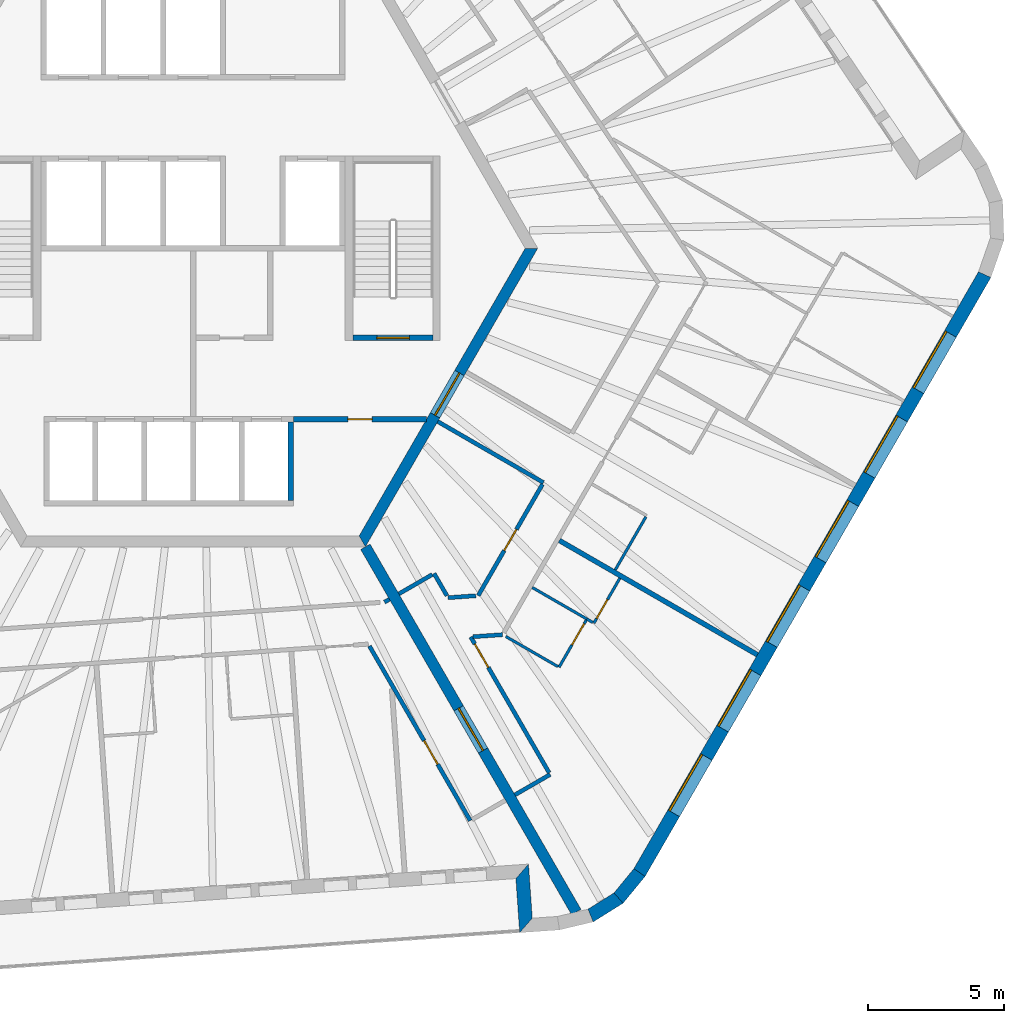
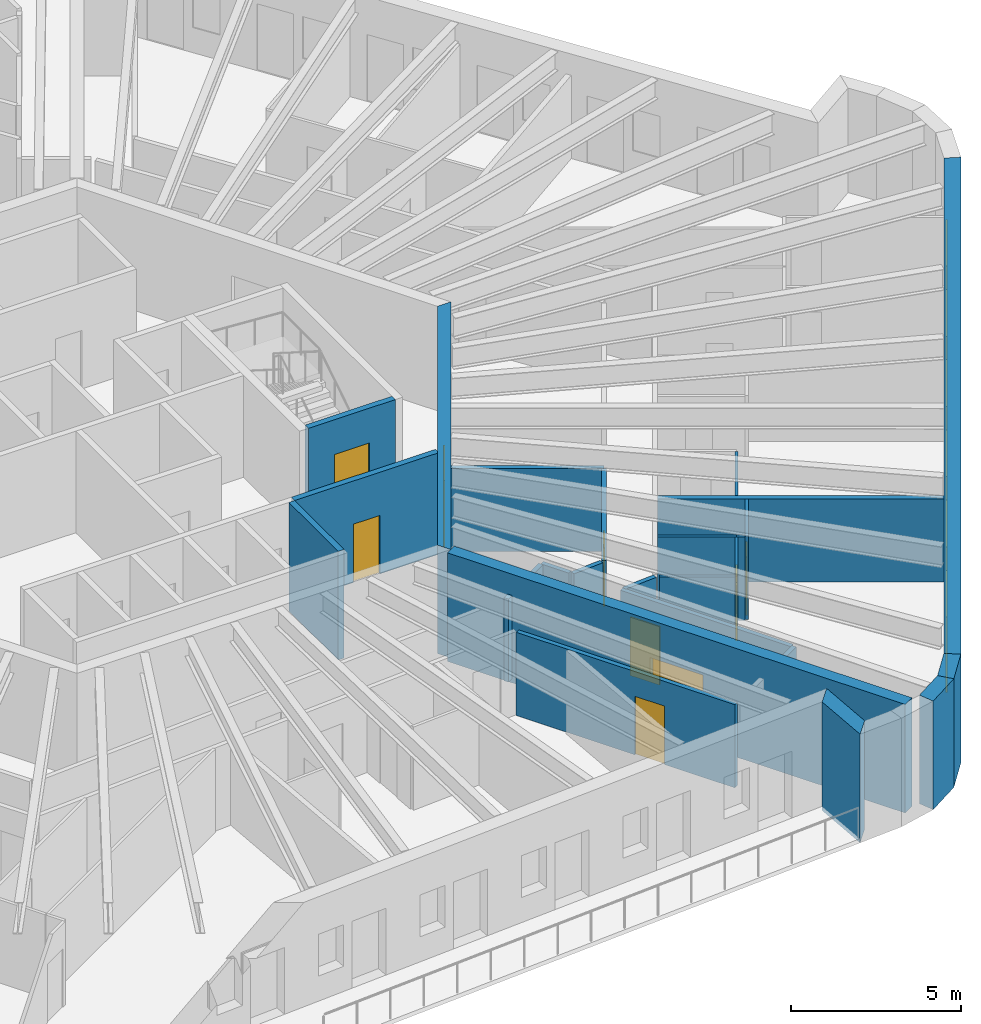
# One storey, part 6 of 12: 26 walls, 9 doors, 6 windows, 15 openings.
"""IFC4 building model written with IfcOpenShell, lengths in metres."""

from ifc_helpers import new_model, si_unit, direction, frame, frame_2d, origin, place, context, subcontext, project, spatial, polyline, rectangle, outline, extrude, material, layer, layer_set, type_object, element, fill, save


model = new_model("IFC4")

# Units and contexts
model_context = context("Model", 3, precision=1e-05, world=origin(), true_north=direction((0.0, 1.0)))
body_context = subcontext(model_context, "Body", "Model", "MODEL_VIEW")
ifc_project = project(units=[si_unit("LENGTHUNIT", "METRE"), si_unit("AREAUNIT", "SQUARE_METRE"), si_unit("VOLUMEUNIT", "CUBIC_METRE"), si_unit("PLANEANGLEUNIT", "RADIAN"), si_unit("MASSUNIT", "GRAM", prefix="KILO")], contexts=[model_context])

# Site, building, storey
site_placement = place(None, origin())
site = spatial("IfcSite", under=ifc_project, at=site_placement, CompositionType="ELEMENT")
building_placement = place(site_placement, origin())
building = spatial("IfcBuilding", under=site, at=building_placement, Name="Tarnside Tower", CompositionType="ELEMENT")
storey_placement = place(building_placement, frame((0.0, 0.0, 271.800048828125)))
storey = spatial("IfcBuildingStorey", under=building, at=storey_placement, Name="L65", CompositionType="ELEMENT", Elevation=271.800048828125)

# Wall, opening, door
ifc_material_1 = material(Name="Gypsum board partition on steel studs", Category="steel")
ifc_layer_1 = layer(ifc_material_1, 0.10009765625)
ifc_layer_set_1 = layer_set([ifc_layer_1], Name="Bathroom wall 100")
wall_type_1 = type_object("IfcWallType", Name="Bathroom wall 100", PredefinedType="PARTITIONING", material=ifc_layer_set_1)
wall_1_placement = place(storey_placement, frame((15.72802734375, -12.158203125, 0.0), z_axis=(0.0, 0.0, 1.0), x_axis=(-0.499947453424, -0.866055739439, 0.0)))
wall_1 = element("IfcWall", 1, at=wall_1_placement, inside=storey, type_object=wall_type_1, Name="Bathroom wall 21144", PredefinedType="PARTITIONING", context=body_context, shape_type="SweptSolid", body=[
    extrude(rectangle(XDim=1.909912109375, YDim=0.10009765625, at=frame_2d((0.955078125, 0.0))), origin(), (0.0, 0.0, 1.0), 2.98779296875),
])
opening_1_placement = place(wall_1_placement, frame((0.909912109375, 0.0, 0.0)))
opening_1 = element("IfcOpeningElement", 2, at=opening_1_placement, cuts=wall_1, Name="Opening D-B1", PredefinedType="OPENING", context=body_context, shape_type="SweptSolid", body=[
    extrude(rectangle(XDim=0.800048828125, YDim=2.10009765625, at=frame_2d((0.39990234375, 1.050048828125))), frame((0.0, 0.06005859375, 0.0), z_axis=(0.0, -1.0, 0.0), x_axis=(1.0, 0.0, 0.0)), (0.0, 0.0, 1.0), 0.1201171875),
])
ifc_material_2 = material(Name="Timber door leaf", Category="wood")
door_type_1 = type_object("IfcDoorType", Name="Bathroom door 800", OperationType="NOTDEFINED", PredefinedType="DOOR", material=ifc_material_2)
door_1_placement = place(opening_1_placement, origin())
door_1 = element("IfcDoor", 3, at=door_1_placement, inside=storey, type_object=door_type_1, Name="Bathroom door 21048", OperationType="SINGLE_SWING_LEFT", OverallHeight=2.10009765625, OverallWidth=0.800048828125, PredefinedType="DOOR", context=body_context, shape_type="SweptSolid", body=[
    extrude(rectangle(XDim=0.800048828125, YDim=2.10009765625, at=frame_2d((0.39990234375, 1.050048828125))), frame((0.0, 0.02490234375, 0.0), z_axis=(0.0, -1.0, 0.0), x_axis=(1.0, 0.0, 0.0)), (0.0, 0.0, 1.0), 0.050048828125),
])
fill(opening_1, door_1)

# Walls
wall_2_placement = place(storey_placement, frame((14.729736328125, -13.787353515625, 0.0), z_axis=(0.0, 0.0, 1.0), x_axis=(-0.865669265636, 0.500616342655, 0.0)))
element("IfcWall", 4, at=wall_2_placement, inside=storey, type_object=wall_type_1, Name="Bathroom wall 21145", PredefinedType="PARTITIONING", context=body_context, shape_type="SweptSolid", body=[
    extrude(rectangle(XDim=0.252197265625, YDim=0.10009765625, at=frame_2d((0.1259765625, 0.0))), origin(), (0.0, 0.0, 1.0), 2.98779296875),
])
wall_3_placement = place(storey_placement, frame((12.499755859375, -12.499755859375, 0.0), z_axis=(0.0, 0.0, 1.0), x_axis=(0.865998469481, -0.500046648681, 0.0)))
element("IfcWall", 5, at=wall_3_placement, inside=storey, type_object=wall_type_1, Name="Bathroom wall 21149", PredefinedType="PARTITIONING", context=body_context, shape_type="SweptSolid", body=[
    extrude(rectangle(XDim=2.324951171875, YDim=0.10009765625, at=frame_2d((1.16259765625, 0.0))), origin(), (0.0, 0.0, 1.0), 2.98779296875),
])

# Wall, opening, door
ifc_material_3 = material(Name="Concrete C40/50", Category="concrete")
ifc_layer_2 = layer(ifc_material_3, 0.199951171875)
ifc_layer_set_2 = layer_set([ifc_layer_2], Name="Core room partition 200 C40/50")
wall_type_2 = type_object("IfcWallType", Name="Core room partition 200 C40/50", PredefinedType="PARTITIONING", material=ifc_layer_set_2)
wall_4_placement = place(storey_placement, frame((3.699951171875, -6.300048828125, 0.0), z_axis=(0.0, 0.0, 1.0), x_axis=(1.0, 0.0, 0.0)))
wall_4 = element("IfcWall", 6, at=wall_4_placement, inside=storey, type_object=wall_type_2, Name="L65 core partition R4X", PredefinedType="PARTITIONING", context=body_context, shape_type="SweptSolid", body=[
    extrude(rectangle(XDim=4.902587890625, YDim=0.199951171875, at=frame_2d((2.451171875, 0.0))), origin(), (0.0, 0.0, 1.0), 3.64990234375),
])
opening_2_placement = place(wall_4_placement, frame((2.001220703125, 0.0, 0.0)))
opening_2 = element("IfcOpeningElement", 7, at=opening_2_placement, cuts=wall_4, Name="Opening CD-room", PredefinedType="OPENING", context=body_context, shape_type="SweptSolid", body=[
    extrude(rectangle(XDim=0.89990234375, YDim=2.10009765625, at=frame_2d((0.449951171875, 1.050048828125))), frame((0.0, 0.10986328125, 0.0), z_axis=(0.0, -1.0, 0.0), x_axis=(1.0, 0.0, 0.0)), (0.0, 0.0, 1.0), 0.219970703125),
])
ifc_material_4 = material(Name="Steel fire door", Category="steel")
door_type_2 = type_object("IfcDoorType", Name="Room door FD60 900x2100", OperationType="NOTDEFINED", PredefinedType="DOOR", material=ifc_material_4)
door_2_placement = place(opening_2_placement, origin())
door_2 = element("IfcDoor", 8, at=door_2_placement, inside=storey, type_object=door_type_2, Name="L65 core room door RX", OperationType="SINGLE_SWING_LEFT", OverallHeight=2.10009765625, OverallWidth=0.89990234375, PredefinedType="DOOR", context=body_context, shape_type="SweptSolid", body=[
    extrude(rectangle(XDim=0.89990234375, YDim=2.10009765625, at=frame_2d((0.449951171875, 1.050048828125))), frame((0.0, 0.02490234375, 0.0), z_axis=(0.0, -1.0, 0.0), x_axis=(1.0, 0.0, 0.0)), (0.0, 0.0, 1.0), 0.050048828125),
])
fill(opening_2, door_2)

ifc_material_5 = material(Name="Concrete C60/75", Category="concrete")
ifc_layer_3 = layer(ifc_material_5, 0.39990234375)
ifc_layer_set_3 = layer_set([ifc_layer_3], Name="Core wall Z3 400 C60/75")
wall_type_3 = type_object("IfcWallType", Name="Core wall Z3 400 C60/75", PredefinedType="SHEAR", material=ifc_layer_set_3)
wall_5_placement = place(storey_placement, frame((6.2353515625, -10.800048828125, -0.150146484375), z_axis=(0.0, 0.0, 1.0), x_axis=(0.499996419489, 0.866027470984, 0.0)))
wall_5 = element("IfcWall", 9, at=wall_5_placement, inside=storey, type_object=wall_type_3, Name="L65 core wall face 5", PredefinedType="SHEAR", context=body_context, shape_type="SweptSolid", body=[
    extrude(outline(polyline([(-0.115478515625, -0.199951171875), (12.586181640625, -0.199951171875), (12.355224609375, 0.199951171875), (0.115478515625, 0.199951171875), (-0.115478515625, -0.199951171875)])), origin(), (0.0, 0.0, 1.0), 3.900146484375),
])
opening_3_placement = place(wall_5_placement, frame((5.3642578125, 0.0, 0.14990234375)))
opening_3 = element("IfcOpeningElement", 10, at=opening_3_placement, cuts=wall_5, Name="Opening CD-FFL", PredefinedType="OPENING", context=body_context, shape_type="SweptSolid", body=[
    extrude(rectangle(XDim=1.800048828125, YDim=2.39990234375, at=frame_2d((0.89990234375, 1.199951171875))), frame((0.0, 0.2099609375, 0.0), z_axis=(0.0, -1.0, 0.0), x_axis=(1.0, 0.0, 0.0)), (0.0, 0.0, 1.0), 0.419921875),
])
door_type_3 = type_object("IfcDoorType", Name="Firefighting lobby double door FD60S 1800x2400", OperationType="NOTDEFINED", PredefinedType="DOOR", material=ifc_material_4)
door_3_placement = place(opening_3_placement, origin())
door_3 = element("IfcDoor", 11, at=door_3_placement, inside=storey, type_object=door_type_3, Name="L65 core door P4", OperationType="DOUBLE_DOOR_SINGLE_SWING", OverallHeight=2.39990234375, OverallWidth=1.800048828125, PredefinedType="DOOR", context=body_context, shape_type="SweptSolid", body=[
    extrude(rectangle(XDim=1.800048828125, YDim=2.39990234375, at=frame_2d((0.89990234375, 1.199951171875))), frame((0.0, 0.02490234375, 0.0), z_axis=(0.0, -1.0, 0.0), x_axis=(1.0, 0.0, 0.0)), (0.0, 0.0, 1.0), 0.050048828125),
])
fill(opening_3, door_3)

wall_6_placement = place(storey_placement, frame((6.350830078125, -11.0, -0.150146484375), z_axis=(0.0, 0.0, 1.0), x_axis=(0.499998894578, -0.866026041999, 0.0)))
wall_6 = element("IfcWall", 12, at=wall_6_placement, inside=storey, type_object=wall_type_3, Name="L65 spine wall 3", PredefinedType="SHEAR", context=body_context, shape_type="SweptSolid", body=[
    extrude(rectangle(XDim=15.54443359375, YDim=0.39990234375, at=frame_2d((7.772216796875, 0.0))), origin(), (0.0, 0.0, 1.0), 3.900146484375),
])
opening_4_placement = place(wall_6_placement, frame((6.872314453125, 0.0, 0.14990234375)))
opening_4 = element("IfcOpeningElement", 13, at=opening_4_placement, cuts=wall_6, Name="Opening CD-SPN", PredefinedType="OPENING", context=body_context, shape_type="SweptSolid", body=[
    extrude(rectangle(XDim=1.800048828125, YDim=2.39990234375, at=frame_2d((0.89990234375, 1.199951171875))), frame((0.0, 0.2099609375, 0.0), z_axis=(0.0, -1.0, 0.0), x_axis=(1.0, 0.0, 0.0)), (0.0, 0.0, 1.0), 0.419921875),
])
door_type_4 = type_object("IfcDoorType", Name="Spine passage double door FD60 1800x2400", OperationType="NOTDEFINED", PredefinedType="DOOR", material=ifc_material_4)
door_4_placement = place(opening_4_placement, origin())
door_4 = element("IfcDoor", 14, at=door_4_placement, inside=storey, type_object=door_type_4, Name="L65 spine passage door 3", OperationType="DOUBLE_DOOR_SINGLE_SWING", OverallHeight=2.39990234375, OverallWidth=1.800048828125, PredefinedType="DOOR", context=body_context, shape_type="SweptSolid", body=[
    extrude(rectangle(XDim=1.800048828125, YDim=2.39990234375, at=frame_2d((0.89990234375, 1.199951171875))), frame((0.0, 0.02490234375, 0.0), z_axis=(0.0, -1.0, 0.0), x_axis=(1.0, 0.0, 0.0)), (0.0, 0.0, 1.0), 0.050048828125),
])
fill(opening_4, door_4)

ifc_layer_4 = layer(ifc_material_1, 0.14990234375)
ifc_layer_set_4 = layer_set([ifc_layer_4], Name="Corridor wall 150 EI 60")
wall_type_4 = type_object("IfcWallType", Name="Corridor wall 150 EI 60", PredefinedType="PARTITIONING", material=ifc_layer_set_4)
wall_7_placement = place(storey_placement, frame((6.49951171875, -14.6572265625, 0.0), z_axis=(0.0, 0.0, 1.0), x_axis=(0.499966098742, -0.8660449758, 0.0)))
wall_7 = element("IfcWall", 15, at=wall_7_placement, inside=storey, type_object=wall_type_4, Name="Corridor wall 21044", PredefinedType="PARTITIONING", context=body_context, shape_type="SweptSolid", body=[
    extrude(rectangle(XDim=7.4306640625, YDim=0.14990234375, at=frame_2d((3.71533203125, 0.0))), origin(), (0.0, 0.0, 1.0), 2.98779296875),
])
opening_5_placement = place(wall_7_placement, frame((4.02978515625, 0.0, 0.0)))
opening_5 = element("IfcOpeningElement", 16, at=opening_5_placement, cuts=wall_7, Name="Opening D-E1", PredefinedType="OPENING", context=body_context, shape_type="SweptSolid", body=[
    extrude(rectangle(XDim=1.0, YDim=2.10009765625, at=frame_2d((0.5, 1.050048828125))), frame((0.0, 0.0849609375, 0.0), z_axis=(0.0, -1.0, 0.0), x_axis=(1.0, 0.0, 0.0)), (0.0, 0.0, 1.0), 0.169921875),
])
door_type_5 = type_object("IfcDoorType", Name="Unit entrance door 1000 FD30S", OperationType="NOTDEFINED", PredefinedType="DOOR", material=ifc_material_2)
door_5_placement = place(opening_5_placement, origin())
door_5 = element("IfcDoor", 17, at=door_5_placement, inside=storey, type_object=door_type_5, Name="Unit door 21046", OperationType="SINGLE_SWING_RIGHT", OverallHeight=2.10009765625, OverallWidth=1.0, PredefinedType="DOOR", context=body_context, shape_type="SweptSolid", body=[
    extrude(rectangle(XDim=1.0, YDim=2.10009765625, at=frame_2d((0.5, 1.050048828125))), frame((0.0, 0.02490234375, 0.0), z_axis=(0.0, -1.0, 0.0), x_axis=(1.0, 0.0, 0.0)), (0.0, 0.0, 1.0), 0.050048828125),
])
fill(opening_5, door_5)

# Walls
wall_8_placement = place(storey_placement, frame((7.23681640625, -12.9345703125, 0.0), z_axis=(0.0, 0.0, 1.0), x_axis=(-0.866088799389, -0.499890179513, 0.0)))
element("IfcWall", 18, at=wall_8_placement, inside=storey, type_object=wall_type_4, Name="Corridor wall 21052", PredefinedType="PARTITIONING", context=body_context, shape_type="SweptSolid", body=[
    extrude(rectangle(XDim=0.2099609375, YDim=0.14990234375, at=frame_2d((0.10498046875, 0.0))), origin(), (0.0, 0.0, 1.0), 2.98779296875),
])
wall_9_placement = place(storey_placement, frame((11.860107421875, -20.142333984375, 0.0), z_axis=(0.0, 0.0, 1.0), x_axis=(0.866031096941, 0.499990139034, 0.0)))
element("IfcWall", 19, at=wall_9_placement, inside=storey, type_object=wall_type_4, Name="Corridor wall 21056", PredefinedType="PARTITIONING", context=body_context, shape_type="SweptSolid", body=[
    extrude(rectangle(XDim=1.5, YDim=0.14990234375, at=frame_2d((0.75, 0.0))), origin(), (0.0, 0.0, 1.0), 2.98779296875),
])

# Wall, opening, door
wall_10_placement = place(storey_placement, frame((13.121826171875, -19.327392578125, 0.0), z_axis=(0.0, 0.0, 1.0), x_axis=(-0.500013707032, 0.866017489881, 0.0)))
wall_10 = element("IfcWall", 20, at=wall_10_placement, inside=storey, type_object=wall_type_4, Name="Corridor wall 21057", PredefinedType="PARTITIONING", context=body_context, shape_type="SweptSolid", body=[
    extrude(rectangle(XDim=5.780517578125, YDim=0.14990234375, at=frame_2d((2.89013671875, 0.0))), origin(), (0.0, 0.0, 1.0), 2.98779296875),
])
opening_6_placement = place(wall_10_placement, frame((4.480712890625, 0.0, 0.0)))
opening_6 = element("IfcOpeningElement", 21, at=opening_6_placement, cuts=wall_10, Name="Opening D-E1", PredefinedType="OPENING", context=body_context, shape_type="SweptSolid", body=[
    extrude(rectangle(XDim=1.0, YDim=2.10009765625, at=frame_2d((0.5, 1.050048828125))), frame((0.0, 0.0849609375, 0.0), z_axis=(0.0, -1.0, 0.0), x_axis=(1.0, 0.0, 0.0)), (0.0, 0.0, 1.0), 0.169921875),
])
door_6_placement = place(opening_6_placement, origin())
door_6 = element("IfcDoor", 22, at=door_6_placement, inside=storey, type_object=door_type_5, Name="Unit door 21047", OperationType="SINGLE_SWING_LEFT", OverallHeight=2.10009765625, OverallWidth=1.0, PredefinedType="DOOR", context=body_context, shape_type="SweptSolid", body=[
    extrude(rectangle(XDim=1.0, YDim=2.10009765625, at=frame_2d((0.5, 1.050048828125))), frame((0.0, 0.02490234375, 0.0), z_axis=(0.0, -1.0, 0.0), x_axis=(1.0, 0.0, 0.0)), (0.0, 0.0, 1.0), 0.050048828125),
])
fill(opening_6, door_6)

# Walls
wall_11_placement = place(storey_placement, frame((10.314453125, -14.3154296875, 0.0), z_axis=(0.0, 0.0, 1.0), x_axis=(0.997557107149, 0.069855693944, 0.0)))
element("IfcWall", 23, at=wall_11_placement, inside=storey, type_object=wall_type_4, Name="Corridor wall 21058", PredefinedType="PARTITIONING", context=body_context, shape_type="SweptSolid", body=[
    extrude(rectangle(XDim=1.097412109375, YDim=0.14990234375, at=frame_2d((0.548828125, 0.0))), origin(), (0.0, 0.0, 1.0), 2.98779296875),
])
wall_12_placement = place(storey_placement, frame((9.015625, -6.38427734375, 0.0), z_axis=(0.0, 0.0, 1.0), x_axis=(0.866031096941, -0.499990139034, 0.0)))
element("IfcWall", 24, at=wall_12_placement, inside=storey, type_object=wall_type_4, Name="Corridor wall 21078", PredefinedType="PARTITIONING", context=body_context, shape_type="SweptSolid", body=[
    extrude(rectangle(XDim=4.5, YDim=0.14990234375, at=frame_2d((2.25, 0.0))), origin(), (0.0, 0.0, 1.0), 2.98779296875),
])

# Wall, opening, door
wall_13_placement = place(storey_placement, frame((12.875244140625, -8.69921875, 0.0), z_axis=(0.0, 0.0, 1.0), x_axis=(-0.49999482868, -0.866028389427, 0.0)))
wall_13 = element("IfcWall", 25, at=wall_13_placement, inside=storey, type_object=wall_type_4, Name="Corridor wall 21079", PredefinedType="PARTITIONING", context=body_context, shape_type="SweptSolid", body=[
    extrude(rectangle(XDim=4.73291015625, YDim=0.14990234375, at=frame_2d((2.366455078125, 0.0))), origin(), (0.0, 0.0, 1.0), 2.98779296875),
])
opening_7_placement = place(wall_13_placement, frame((1.91650390625, 0.0, 0.0)))
opening_7 = element("IfcOpeningElement", 26, at=opening_7_placement, cuts=wall_13, Name="Opening D-S1", PredefinedType="OPENING", context=body_context, shape_type="SweptSolid", body=[
    extrude(rectangle(XDim=0.89990234375, YDim=2.10009765625, at=frame_2d((0.449951171875, 1.050048828125))), frame((0.0, 0.0849609375, 0.0), z_axis=(0.0, -1.0, 0.0), x_axis=(1.0, 0.0, 0.0)), (0.0, 0.0, 1.0), 0.169921875),
])
door_type_6 = type_object("IfcDoorType", Name="Service room door 900 FD30S", OperationType="NOTDEFINED", PredefinedType="DOOR", material=ifc_material_2)
door_7_placement = place(opening_7_placement, origin())
door_7 = element("IfcDoor", 27, at=door_7_placement, inside=storey, type_object=door_type_6, Name="Service door 21074", OperationType="SINGLE_SWING_LEFT", OverallHeight=2.10009765625, OverallWidth=0.89990234375, PredefinedType="DOOR", context=body_context, shape_type="SweptSolid", body=[
    extrude(rectangle(XDim=0.89990234375, YDim=2.10009765625, at=frame_2d((0.449951171875, 1.050048828125))), frame((0.0, 0.02490234375, 0.0), z_axis=(0.0, -1.0, 0.0), x_axis=(1.0, 0.0, 0.0)), (0.0, 0.0, 1.0), 0.050048828125),
])
fill(opening_7, door_7)

# Walls
wall_14_placement = place(storey_placement, frame((10.418701171875, -12.804443359375, 0.0), z_axis=(0.0, 0.0, 1.0), x_axis=(-0.997558136861, -0.069840987838, 0.0)))
element("IfcWall", 28, at=wall_14_placement, inside=storey, type_object=wall_type_4, Name="Corridor wall 21080", PredefinedType="PARTITIONING", context=body_context, shape_type="SweptSolid", body=[
    extrude(rectangle(XDim=1.024169921875, YDim=0.14990234375, at=frame_2d((0.51220703125, 0.0))), origin(), (0.0, 0.0, 1.0), 2.98779296875),
])
wall_15_placement = place(storey_placement, frame((9.355224609375, -12.8037109375, 0.0), z_axis=(0.0, 0.0, 1.0), x_axis=(-0.499998034377, 0.866026538634, 0.0)))
element("IfcWall", 29, at=wall_15_placement, inside=storey, type_object=wall_type_4, Name="Corridor wall 21081", PredefinedType="PARTITIONING", context=body_context, shape_type="SweptSolid", body=[
    extrude(rectangle(XDim=0.94580078125, YDim=0.14990234375, at=frame_2d((0.472900390625, 0.0))), origin(), (0.0, 0.0, 1.0), 2.98779296875),
])
wall_16_placement = place(storey_placement, frame((8.8173828125, -12.022216796875, 0.0), z_axis=(0.0, 0.0, 1.0), x_axis=(-0.866062911188, -0.499935029643, 0.0)))
element("IfcWall", 30, at=wall_16_placement, inside=storey, type_object=wall_type_4, Name="Corridor wall 21082", PredefinedType="PARTITIONING", context=body_context, shape_type="SweptSolid", body=[
    extrude(rectangle(XDim=1.425048828125, YDim=0.14990234375, at=frame_2d((0.71240234375, 0.0))), origin(), (0.0, 0.0, 1.0), 2.98779296875),
])
ifc_layer_5 = layer(ifc_material_1, 0.179931640625)
ifc_layer_set_5 = layer_set([ifc_layer_5], Name="Demising wall 180 EI 60")
wall_type_5 = type_object("IfcWallType", Name="Demising wall 180 EI 60", PredefinedType="PARTITIONING", material=ifc_layer_set_5)
wall_17_placement = place(storey_placement, frame((20.796142578125, -14.980224609375, 0.0), z_axis=(0.0, 0.0, 1.0), x_axis=(-0.866021515814, 0.500006734102, 0.0)))
element("IfcWall", 31, at=wall_17_placement, inside=storey, type_object=wall_type_5, Name="Demising wall 21148", PredefinedType="PARTITIONING", context=body_context, shape_type="SweptSolid", body=[
    extrude(rectangle(XDim=8.42529296875, YDim=0.179931640625, at=frame_2d((4.212646484375, 0.0))), origin(), (0.0, 0.0, 1.0), 2.98779296875),
])
ifc_layer_6 = layer(ifc_material_3, 0.199951171875)
ifc_layer_set_6 = layer_set([ifc_layer_6], Name="Lift shaft wall 200 C40/50")
wall_type_6 = type_object("IfcWallType", Name="Lift shaft wall 200 C40/50", PredefinedType="SHEAR", material=ifc_layer_set_6)
wall_18_placement = place(storey_placement, frame((3.60009765625, -9.300048828125, -0.25), z_axis=(0.0, 0.0, 1.0), x_axis=(0.0, 1.0, 0.0)))
element("IfcWall", 32, at=wall_18_placement, inside=storey, type_object=wall_type_6, Name="L65 lift shaft partition R46", PredefinedType="SHEAR", context=body_context, shape_type="SweptSolid", body=[
    extrude(rectangle(XDim=2.900146484375, YDim=0.199951171875, at=frame_2d((1.4501953125, 0.0))), origin(), (0.0, 0.0, 1.0), 3.89990234375),
])

# Wall, opening, door
wall_19_placement = place(storey_placement, frame((5.89990234375, -3.300048828125, -0.25), z_axis=(0.0, 0.0, 1.0), x_axis=(1.0, 0.0, 0.0)))
wall_19 = element("IfcWall", 33, at=wall_19_placement, inside=storey, type_object=wall_type_6, Name="L65 stair 1 enclosure cap wall s", PredefinedType="SHEAR", context=body_context, shape_type="SweptSolid", body=[
    extrude(rectangle(XDim=2.9501953125, YDim=0.199951171875, at=frame_2d((1.47509765625, 0.0))), origin(), (0.0, 0.0, 1.0), 3.89990234375),
])
opening_8_placement = place(wall_19_placement, frame((0.875, 0.0, 0.25)))
opening_8 = element("IfcOpeningElement", 34, at=opening_8_placement, cuts=wall_19, Name="Opening CD-STR", PredefinedType="OPENING", context=body_context, shape_type="SweptSolid", body=[
    extrude(rectangle(XDim=1.199951171875, YDim=2.39990234375, at=frame_2d((0.60009765625, 1.199951171875))), frame((0.0, 0.10986328125, 0.0), z_axis=(0.0, -1.0, 0.0), x_axis=(1.0, 0.0, 0.0)), (0.0, 0.0, 1.0), 0.219970703125),
])
door_type_7 = type_object("IfcDoorType", Name="Stair door FD60S 1200x2400", OperationType="NOTDEFINED", PredefinedType="DOOR", material=ifc_material_4)
door_8_placement = place(opening_8_placement, origin())
door_8 = element("IfcDoor", 35, at=door_8_placement, inside=storey, type_object=door_type_7, Name="L65 stair 1 door", OperationType="SINGLE_SWING_LEFT", OverallHeight=2.39990234375, OverallWidth=1.199951171875, PredefinedType="DOOR", context=body_context, shape_type="SweptSolid", body=[
    extrude(rectangle(XDim=1.199951171875, YDim=2.39990234375, at=frame_2d((0.60009765625, 1.199951171875))), frame((0.0, 0.02490234375, 0.0), z_axis=(0.0, -1.0, 0.0), x_axis=(1.0, 0.0, 0.0)), (0.0, 0.0, 1.0), 0.050048828125),
])
fill(opening_8, door_8)

# Wall
ifc_material_6 = material(Name="Dark zinc cladding")
ifc_layer_7 = layer(ifc_material_6, 0.10205078125)
ifc_material_7 = material(Name="Concrete C60/75 precast", Category="concrete")
ifc_layer_8 = layer(ifc_material_7, 0.298095703125)
ifc_material_8 = material(Name="Mineral wool insulation")
ifc_layer_9 = layer(ifc_material_8, 0.10009765625)
ifc_layer_set_7 = layer_set([ifc_layer_7, ifc_layer_8, ifc_layer_9], Name="Loggia wall 500 zinc faced")
wall_type_7 = type_object("IfcWallType", Name="Loggia wall 500 zinc faced", PredefinedType="SOLIDWALL", material=ifc_layer_set_7)
wall_20_placement = place(storey_placement, frame((12.128662109375, -22.9599609375, -0.150146484375), z_axis=(0.0, 0.0, 1.0), x_axis=(0.069824268692, -0.99755930726, 0.0)))
element("IfcWall", 36, at=wall_20_placement, inside=storey, type_object=wall_type_7, Name="Tube wall L65 F4 return 19", PredefinedType="SOLIDWALL", context=body_context, shape_type="SweptSolid", body=[
    extrude(outline(polyline([(0.25, -0.25), (2.25, -0.25), (1.75, 0.25), (-0.25, 0.25), (0.25, -0.25)])), origin(), (0.0, 0.0, 1.0), 3.900146484375),
])

# Wall, opening, door
ifc_layer_10 = layer(ifc_material_1, 0.10009765625)
ifc_layer_set_8 = layer_set([ifc_layer_10], Name="Partition 100")
wall_type_8 = type_object("IfcWallType", Name="Partition 100", PredefinedType="PARTITIONING", material=ifc_layer_set_8)
wall_21_placement = place(storey_placement, frame((14.48828125, -13.70556640625, 0.0), z_axis=(0.0, 0.0, 1.0), x_axis=(-0.500035721725, -0.866004778855, 0.0)))
wall_21 = element("IfcWall", 37, at=wall_21_placement, inside=storey, type_object=wall_type_8, Name="Partition wall 21146", PredefinedType="PARTITIONING", context=body_context, shape_type="SweptSolid", body=[
    extrude(rectangle(XDim=2.001220703125, YDim=0.10009765625, at=frame_2d((1.00048828125, 0.0))), origin(), (0.0, 0.0, 1.0), 2.98779296875),
])
opening_9_placement = place(wall_21_placement, frame((0.14990234375, 0.0, 0.0)))
opening_9 = element("IfcOpeningElement", 38, at=opening_9_placement, cuts=wall_21, Name="Opening D-I1", PredefinedType="OPENING", context=body_context, shape_type="SweptSolid", body=[
    extrude(rectangle(XDim=0.89990234375, YDim=2.10009765625, at=frame_2d((0.449951171875, 1.050048828125))), frame((0.0, 0.06005859375, 0.0), z_axis=(0.0, -1.0, 0.0), x_axis=(1.0, 0.0, 0.0)), (0.0, 0.0, 1.0), 0.1201171875),
])
door_type_8 = type_object("IfcDoorType", Name="Internal door 900", OperationType="NOTDEFINED", PredefinedType="DOOR", material=ifc_material_2)
door_9_placement = place(opening_9_placement, origin())
door_9 = element("IfcDoor", 39, at=door_9_placement, inside=storey, type_object=door_type_8, Name="Internal door 21049", OperationType="SINGLE_SWING_RIGHT", OverallHeight=2.10009765625, OverallWidth=0.89990234375, PredefinedType="DOOR", context=body_context, shape_type="SweptSolid", body=[
    extrude(rectangle(XDim=0.89990234375, YDim=2.10009765625, at=frame_2d((0.449951171875, 1.050048828125))), frame((0.0, 0.02490234375, 0.0), z_axis=(0.0, -1.0, 0.0), x_axis=(1.0, 0.0, 0.0)), (0.0, 0.0, 1.0), 0.050048828125),
])
fill(opening_9, door_9)

# Walls
wall_22_placement = place(storey_placement, frame((13.4443359375, -15.413818359375, 0.0), z_axis=(0.0, 0.0, 1.0), x_axis=(-0.866024121142, 0.500002221596, 0.0)))
element("IfcWall", 40, at=wall_22_placement, inside=storey, type_object=wall_type_8, Name="Partition wall 21147", PredefinedType="PARTITIONING", context=body_context, shape_type="SweptSolid", body=[
    extrude(rectangle(XDim=2.2158203125, YDim=0.10009765625, at=frame_2d((1.10791015625, 0.0))), origin(), (0.0, 0.0, 1.0), 2.98779296875),
])
wall_23_placement = place(storey_placement, frame((16.688232421875, -9.89501953125, 0.0), z_axis=(0.0, 0.0, 1.0), x_axis=(-0.49995000081, -0.866054268906, 0.0)))
element("IfcWall", 41, at=wall_23_placement, inside=storey, type_object=wall_type_8, Name="Partition wall 21155", PredefinedType="PARTITIONING", context=body_context, shape_type="SweptSolid", body=[
    extrude(rectangle(XDim=2.260009765625, YDim=0.10009765625, at=frame_2d((1.1298828125, 0.0))), origin(), (0.0, 0.0, 1.0), 2.98779296875),
])
ifc_material_9 = material(Name="Facing brick", Category="masonry")
ifc_layer_11 = layer(ifc_material_9, 0.10205078125)
ifc_layer_12 = layer(ifc_material_7, 0.298095703125)
ifc_layer_13 = layer(ifc_material_8, 0.10009765625)
ifc_layer_set_9 = layer_set([ifc_layer_11, ifc_layer_12, ifc_layer_13], Name="Tube wall 500 brick faced")
wall_type_9 = type_object("IfcWallType", Name="Tube wall 500 brick faced", PredefinedType="SOLIDWALL", material=ifc_layer_set_9)
wall_24_placement = place(storey_placement, frame((14.64892578125, -24.5908203125, -0.150146484375), z_axis=(0.0, 0.0, 1.0), x_axis=(0.848054682072, 0.529908724419, 0.0)))
element("IfcWall", 42, at=wall_24_placement, inside=storey, type_object=wall_type_9, Name="Tube wall L65 F4 chord 22", PredefinedType="SOLIDWALL", context=body_context, shape_type="SweptSolid", body=[
    extrude(outline(polyline([(-0.041015625, -0.25), (1.25732421875, -0.25), (1.17529296875, 0.25), (0.041015625, 0.25), (-0.041015625, -0.25)])), origin(), (0.0, 0.0, 1.0), 3.900146484375),
])
wall_25_placement = place(storey_placement, frame((15.680419921875, -23.9462890625, -0.150146484375), z_axis=(0.0, 0.0, 1.0), x_axis=(0.633805934167, 0.773492105852, 0.0)))
element("IfcWall", 43, at=wall_25_placement, inside=storey, type_object=wall_type_9, Name="Tube wall L65 F4 chord 23", PredefinedType="SOLIDWALL", context=body_context, shape_type="SweptSolid", body=[
    extrude(outline(polyline([(-0.041015625, -0.25), (1.237060546875, -0.25), (1.196044921875, 0.25), (0.041015625, 0.25), (-0.041015625, -0.25)])), origin(), (0.0, 0.0, 1.0), 3.900146484375),
])

# Wall, openings, windows
wall_26_placement = place(storey_placement, frame((16.451416015625, -23.00537109375, -0.150146484375), z_axis=(0.0, 0.0, 1.0), x_axis=(0.500003737743, 0.866023245787, 0.0)))
wall_26 = element("IfcWall", 44, at=wall_26_placement, inside=storey, type_object=wall_type_9, Name="Tube wall L65 F5 flush 24", PredefinedType="SOLIDWALL", context=body_context, shape_type="SweptSolid", body=[
    extrude(outline(polyline([(-0.0205078125, -0.25), (25.468017578125, -0.25), (25.421142578125, 0.25), (0.0205078125, 0.25), (-0.0205078125, -0.25)])), origin(), (0.0, 0.0, 1.0), 3.900146484375),
])
opening_10_placement = place(wall_26_placement, frame((2.5224609375, 0.0, 0.75)))
opening_10 = element("IfcOpeningElement", 45, at=opening_10_placement, cuts=wall_26, Name="Opening WR", PredefinedType="OPENING", context=body_context, shape_type="SweptSolid", body=[
    extrude(rectangle(XDim=2.39990234375, YDim=2.699951171875, at=frame_2d((1.199951171875, 1.35009765625))), frame((0.0, 0.260009765625, 0.0), z_axis=(0.0, -1.0, 0.0), x_axis=(1.0, 0.0, 0.0)), (0.0, 0.0, 1.0), 0.52001953125),
])
opening_11_placement = place(wall_26_placement, frame((6.122314453125, 0.0, 0.75)))
opening_11 = element("IfcOpeningElement", 46, at=opening_11_placement, cuts=wall_26, Name="Opening WR", PredefinedType="OPENING", context=body_context, shape_type="SweptSolid", body=[
    extrude(rectangle(XDim=2.39990234375, YDim=2.699951171875, at=frame_2d((1.199951171875, 1.35009765625))), frame((0.0, 0.260009765625, 0.0), z_axis=(0.0, -1.0, 0.0), x_axis=(1.0, 0.0, 0.0)), (0.0, 0.0, 1.0), 0.52001953125),
])
opening_12_placement = place(wall_26_placement, frame((9.722412109375, 0.0, 0.75)))
opening_12 = element("IfcOpeningElement", 47, at=opening_12_placement, cuts=wall_26, Name="Opening WR", PredefinedType="OPENING", context=body_context, shape_type="SweptSolid", body=[
    extrude(rectangle(XDim=2.39990234375, YDim=2.699951171875, at=frame_2d((1.199951171875, 1.35009765625))), frame((0.0, 0.260009765625, 0.0), z_axis=(0.0, -1.0, 0.0), x_axis=(1.0, 0.0, 0.0)), (0.0, 0.0, 1.0), 0.52001953125),
])
opening_13_placement = place(wall_26_placement, frame((13.322509765625, 0.0, 0.75)))
opening_13 = element("IfcOpeningElement", 48, at=opening_13_placement, cuts=wall_26, Name="Opening WR", PredefinedType="OPENING", context=body_context, shape_type="SweptSolid", body=[
    extrude(rectangle(XDim=2.39990234375, YDim=2.699951171875, at=frame_2d((1.199951171875, 1.35009765625))), frame((0.0, 0.260009765625, 0.0), z_axis=(0.0, -1.0, 0.0), x_axis=(1.0, 0.0, 0.0)), (0.0, 0.0, 1.0), 0.52001953125),
])
opening_14_placement = place(wall_26_placement, frame((16.92236328125, 0.0, 0.75)))
opening_14 = element("IfcOpeningElement", 49, at=opening_14_placement, cuts=wall_26, Name="Opening WR", PredefinedType="OPENING", context=body_context, shape_type="SweptSolid", body=[
    extrude(rectangle(XDim=2.39990234375, YDim=2.699951171875, at=frame_2d((1.199951171875, 1.35009765625))), frame((0.0, 0.260009765625, 0.0), z_axis=(0.0, -1.0, 0.0), x_axis=(1.0, 0.0, 0.0)), (0.0, 0.0, 1.0), 0.52001953125),
])
opening_15_placement = place(wall_26_placement, frame((20.5224609375, 0.0, 0.75)))
opening_15 = element("IfcOpeningElement", 50, at=opening_15_placement, cuts=wall_26, Name="Opening WR", PredefinedType="OPENING", context=body_context, shape_type="SweptSolid", body=[
    extrude(rectangle(XDim=2.39990234375, YDim=2.699951171875, at=frame_2d((1.199951171875, 1.35009765625))), frame((0.0, 0.260009765625, 0.0), z_axis=(0.0, -1.0, 0.0), x_axis=(1.0, 0.0, 0.0)), (0.0, 0.0, 1.0), 0.52001953125),
])
ifc_material_10 = material(Name="Aluminium-framed double glazing", Category="aluminium")
window_type = type_object("IfcWindowType", Name="Residence window 2400 x 2700", PartitioningType="DOUBLE_PANEL_VERTICAL", PredefinedType="WINDOW", material=ifc_material_10)
window_1_placement = place(opening_10_placement, frame((0.0, 0.179931640625, 0.0)))
window_1 = element("IfcWindow", 51, at=window_1_placement, inside=storey, type_object=window_type, Name="E.WN.L65.F5.00", OverallHeight=2.699951171875, OverallWidth=2.39990234375, PartitioningType="DOUBLE_PANEL_VERTICAL", PredefinedType="WINDOW", context=body_context, shape_type="SweptSolid", body=[
    extrude(rectangle(XDim=2.39990234375, YDim=2.699951171875, at=frame_2d((1.199951171875, 1.35009765625))), frame((0.0, 0.030029296875, 0.0), z_axis=(0.0, -1.0, 0.0), x_axis=(1.0, 0.0, 0.0)), (0.0, 0.0, 1.0), 0.06005859375),
])
fill(opening_10, window_1)
window_2_placement = place(opening_11_placement, frame((0.0, 0.179931640625, 0.0)))
window_2 = element("IfcWindow", 52, at=window_2_placement, inside=storey, type_object=window_type, Name="E.WN.L65.F5.01", OverallHeight=2.699951171875, OverallWidth=2.39990234375, PartitioningType="DOUBLE_PANEL_VERTICAL", PredefinedType="WINDOW", context=body_context, shape_type="SweptSolid", body=[
    extrude(rectangle(XDim=2.39990234375, YDim=2.699951171875, at=frame_2d((1.199951171875, 1.35009765625))), frame((0.0, 0.030029296875, 0.0), z_axis=(0.0, -1.0, 0.0), x_axis=(1.0, 0.0, 0.0)), (0.0, 0.0, 1.0), 0.06005859375),
])
fill(opening_11, window_2)
window_3_placement = place(opening_12_placement, frame((0.0, 0.179931640625, 0.0)))
window_3 = element("IfcWindow", 53, at=window_3_placement, inside=storey, type_object=window_type, Name="E.WN.L65.F5.02", OverallHeight=2.699951171875, OverallWidth=2.39990234375, PartitioningType="DOUBLE_PANEL_VERTICAL", PredefinedType="WINDOW", context=body_context, shape_type="SweptSolid", body=[
    extrude(rectangle(XDim=2.39990234375, YDim=2.699951171875, at=frame_2d((1.199951171875, 1.35009765625))), frame((0.0, 0.030029296875, 0.0), z_axis=(0.0, -1.0, 0.0), x_axis=(1.0, 0.0, 0.0)), (0.0, 0.0, 1.0), 0.06005859375),
])
fill(opening_12, window_3)
window_4_placement = place(opening_13_placement, frame((0.0, 0.179931640625, 0.0)))
window_4 = element("IfcWindow", 54, at=window_4_placement, inside=storey, type_object=window_type, Name="E.WN.L65.F5.03", OverallHeight=2.699951171875, OverallWidth=2.39990234375, PartitioningType="DOUBLE_PANEL_VERTICAL", PredefinedType="WINDOW", context=body_context, shape_type="SweptSolid", body=[
    extrude(rectangle(XDim=2.39990234375, YDim=2.699951171875, at=frame_2d((1.199951171875, 1.35009765625))), frame((0.0, 0.030029296875, 0.0), z_axis=(0.0, -1.0, 0.0), x_axis=(1.0, 0.0, 0.0)), (0.0, 0.0, 1.0), 0.06005859375),
])
fill(opening_13, window_4)
window_5_placement = place(opening_14_placement, frame((0.0, 0.179931640625, 0.0)))
window_5 = element("IfcWindow", 55, at=window_5_placement, inside=storey, type_object=window_type, Name="E.WN.L65.F5.04", OverallHeight=2.699951171875, OverallWidth=2.39990234375, PartitioningType="DOUBLE_PANEL_VERTICAL", PredefinedType="WINDOW", context=body_context, shape_type="SweptSolid", body=[
    extrude(rectangle(XDim=2.39990234375, YDim=2.699951171875, at=frame_2d((1.199951171875, 1.35009765625))), frame((0.0, 0.030029296875, 0.0), z_axis=(0.0, -1.0, 0.0), x_axis=(1.0, 0.0, 0.0)), (0.0, 0.0, 1.0), 0.06005859375),
])
fill(opening_14, window_5)
window_6_placement = place(opening_15_placement, frame((0.0, 0.179931640625, 0.0)))
window_6 = element("IfcWindow", 56, at=window_6_placement, inside=storey, type_object=window_type, Name="E.WN.L65.F5.05", OverallHeight=2.699951171875, OverallWidth=2.39990234375, PartitioningType="DOUBLE_PANEL_VERTICAL", PredefinedType="WINDOW", context=body_context, shape_type="SweptSolid", body=[
    extrude(rectangle(XDim=2.39990234375, YDim=2.699951171875, at=frame_2d((1.199951171875, 1.35009765625))), frame((0.0, 0.030029296875, 0.0), z_axis=(0.0, -1.0, 0.0), x_axis=(1.0, 0.0, 0.0)), (0.0, 0.0, 1.0), 0.06005859375),
])
fill(opening_15, window_6)

save(model, "model.ifc")
